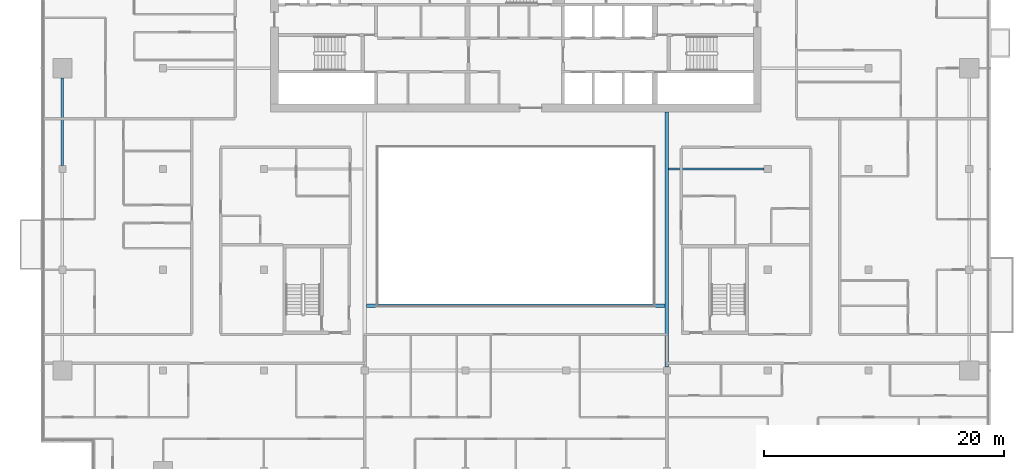
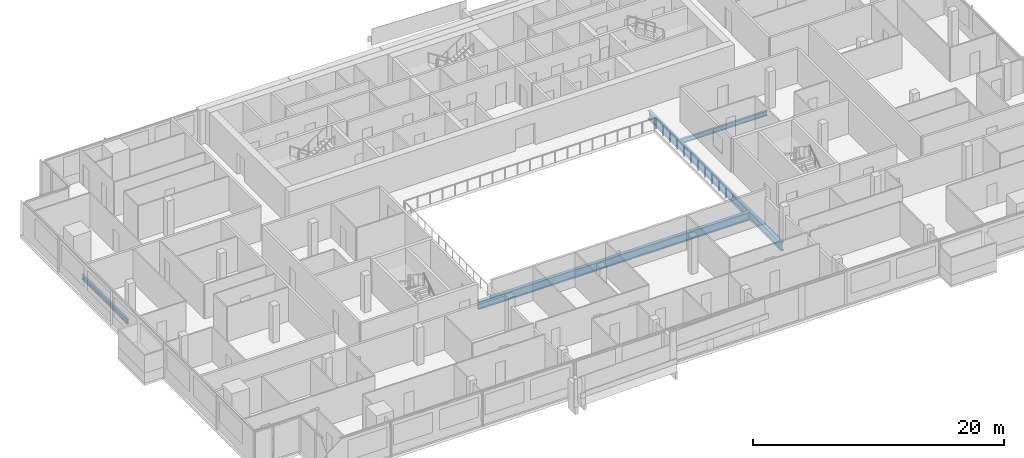
# One storey, part 7 of 26: 4 beams.
"""IFC4 building model written with IfcOpenShell, lengths in metres."""

from ifc_helpers import new_model, si_unit, direction, frame, origin, origin_2d, place, context, subcontext, project, spatial, i_section, extrude, material, material_profile, profile_set, type_object, element, save


model = new_model("IFC4")

# Units and contexts
model_context = context("Model", 3, precision=1e-05, world=origin(), true_north=direction((0.0, 1.0)))
body_context = subcontext(model_context, "Body", "Model", "MODEL_VIEW")
ifc_project = project(units=[si_unit("LENGTHUNIT", "METRE"), si_unit("AREAUNIT", "SQUARE_METRE"), si_unit("VOLUMEUNIT", "CUBIC_METRE"), si_unit("PLANEANGLEUNIT", "RADIAN"), si_unit("MASSUNIT", "GRAM", prefix="KILO")], contexts=[model_context])

# Site, building, storey
site_placement = place(None, origin())
site = spatial("IfcSite", under=ifc_project, at=site_placement, CompositionType="ELEMENT")
building_placement = place(site_placement, origin())
building = spatial("IfcBuilding", under=site, at=building_placement, Name="Saffron Gate Tower", CompositionType="ELEMENT")
storey_placement = place(building_placement, frame((0.0, 0.0, 230.699951171875)))
storey = spatial("IfcBuildingStorey", under=building, at=storey_placement, Name="L56", CompositionType="ELEMENT", Elevation=230.699951171875)

# Beams
ifc_material = material(Name="Structural steel S355", Category="steel")
ifc_material_profile_1 = material_profile(ifc_material, i_section(OverallWidth=0.300048828125, OverallDepth=0.7900390625, WebThickness=0.014892578125, FlangeThickness=0.028076171875, FilletRadius=0.030029296875, at=origin_2d()))
ifc_profile_set_1 = profile_set([ifc_material_profile_1], Name="Structural steel S355")
beam_type_1 = type_object("IfcBeamType", Name="B18 HEA 800", PredefinedType="BEAM", material=ifc_profile_set_1)
beam_1_placement = place(storey_placement, frame((100.199951171875, 40.5, -0.675048828125), z_axis=(0.0, 1.0, 0.0), x_axis=(-1.0, 0.0, 0.0)))
element("IfcBeam", 1, at=beam_1_placement, inside=storey, type_object=beam_type_1, Name="B18 ATRIUM GIRDER", PredefinedType="BEAM", context=body_context, shape_type="SweptSolid", body=[
    extrude(i_section(OverallWidth=0.300048828125, OverallDepth=0.7900390625, WebThickness=0.014892578125, FlangeThickness=0.028076171875, FilletRadius=0.030029296875, at=origin_2d()), origin(), (0.0, 0.0, 1.0), 21.25),
])
beam_2_placement = place(storey_placement, frame((75.14990234375, 45.60009765625, -0.675048828125), z_axis=(1.0, 0.0, 0.0), x_axis=(0.0, 1.0, 0.0)))
element("IfcBeam", 2, at=beam_2_placement, inside=storey, type_object=beam_type_1, Name="B18 ATRIUM GIRDER", PredefinedType="BEAM", context=body_context, shape_type="SweptSolid", body=[
    extrude(i_section(OverallWidth=0.300048828125, OverallDepth=0.7900390625, WebThickness=0.014892578125, FlangeThickness=0.028076171875, FilletRadius=0.030029296875, at=origin_2d()), origin(), (0.0, 0.0, 1.0), 24.900146484375),
])
ifc_material_profile_2 = material_profile(ifc_material, i_section(OverallWidth=0.18994140625, OverallDepth=0.449951171875, WebThickness=0.009521484375, FlangeThickness=0.0146484375, FilletRadius=0.02099609375, at=origin_2d()))
ifc_profile_set_2 = profile_set([ifc_material_profile_2], Name="Structural steel S355")
beam_type_2 = type_object("IfcBeamType", Name="B6 IPE 450", PredefinedType="BEAM", material=ifc_profile_set_2)
beam_3_placement = place(storey_placement, frame((108.300048828125, 57.0, -0.5048828125), z_axis=(-1.0, 0.0, 0.0), x_axis=(0.0, -1.0, 0.0)))
element("IfcBeam", 3, at=beam_3_placement, inside=storey, type_object=beam_type_2, Name="B6 CORE TIE BEAM", PredefinedType="BEAM", context=body_context, shape_type="SweptSolid", body=[
    extrude(i_section(OverallWidth=0.18994140625, OverallDepth=0.449951171875, WebThickness=0.009521484375, FlangeThickness=0.0146484375, FilletRadius=0.02099609375, at=origin_2d()), origin(), (0.0, 0.0, 1.0), 7.949951171875),
])
ifc_material_profile_3 = material_profile(ifc_material, i_section(OverallWidth=0.18994140625, OverallDepth=0.449951171875, WebThickness=0.009521484375, FlangeThickness=0.0146484375, FilletRadius=0.02099609375, at=origin_2d()))
ifc_profile_set_3 = profile_set([ifc_material_profile_3], Name="Structural steel S355")
beam_type_3 = type_object("IfcBeamType", Name="B7 IPE 450", PredefinedType="SPANDREL", material=ifc_profile_set_3)
beam_4_placement = place(storey_placement, frame((49.800048828125, 57.300048828125, -0.5048828125), z_axis=(0.0, 1.0, 0.0), x_axis=(-1.0, 0.0, 0.0)))
element("IfcBeam", 4, at=beam_4_placement, inside=storey, type_object=beam_type_3, Name="B7 SPANDREL BEAM", PredefinedType="SPANDREL", context=body_context, shape_type="SweptSolid", body=[
    extrude(i_section(OverallWidth=0.18994140625, OverallDepth=0.449951171875, WebThickness=0.009521484375, FlangeThickness=0.0146484375, FilletRadius=0.02099609375, at=origin_2d()), origin(), (0.0, 0.0, 1.0), 7.300048828125),
])

save(model, "model.ifc")
